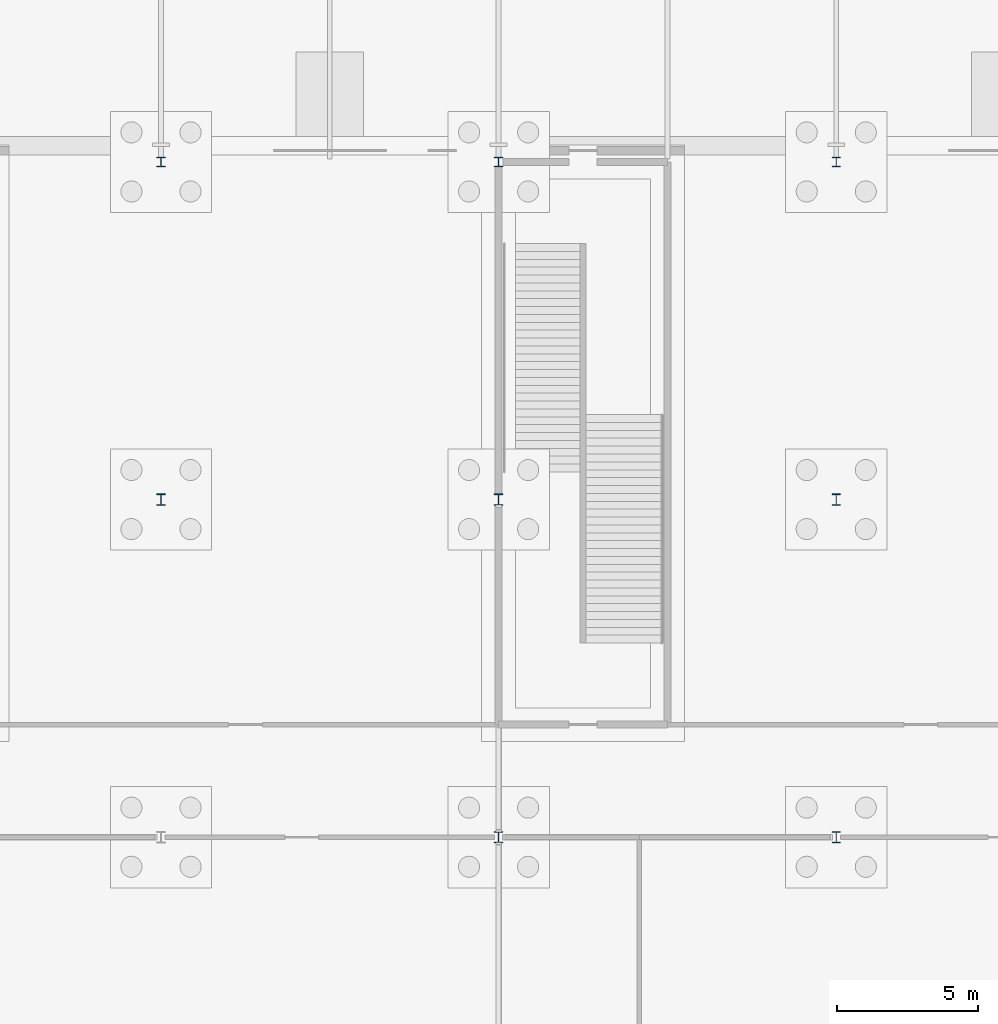
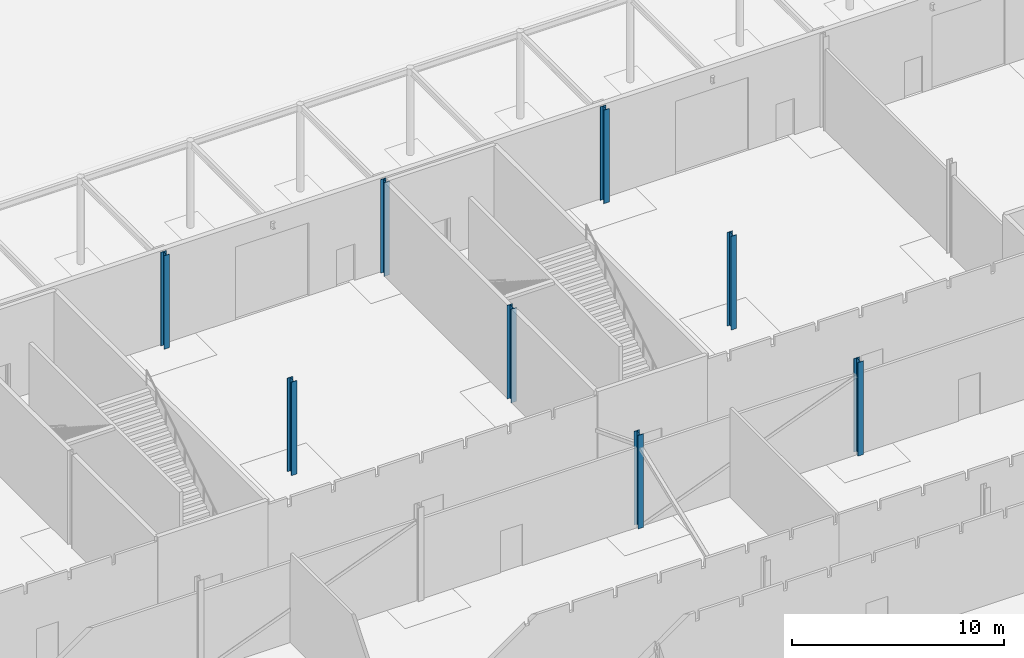
# One storey, part 16 of 132: 8 columns.
"""IFC4 building model written with IfcOpenShell, lengths in metres."""

from ifc_helpers import new_model, si_unit, direction, frame, origin, origin_2d, place, context, subcontext, project, spatial, i_section, extrude, material, material_profile, profile_set, type_object, element, save


model = new_model("IFC4")

# Units and contexts
model_context = context("Model", 3, precision=1e-05, world=origin(), true_north=direction((0.0, 1.0)))
body_context = subcontext(model_context, "Body", "Model", "MODEL_VIEW")
ifc_project = project(units=[si_unit("LENGTHUNIT", "METRE"), si_unit("AREAUNIT", "SQUARE_METRE"), si_unit("VOLUMEUNIT", "CUBIC_METRE"), si_unit("PLANEANGLEUNIT", "RADIAN"), si_unit("MASSUNIT", "GRAM", prefix="KILO")], contexts=[model_context])

# Site, building, storey
site_placement = place(None, origin())
site = spatial("IfcSite", under=ifc_project, at=site_placement, CompositionType="ELEMENT")
building_placement = place(site_placement, origin())
building = spatial("IfcBuilding", under=site, at=building_placement, Name="Ravi Spectrum Wholesale Market", CompositionType="ELEMENT")
storey_placement = place(building_placement, origin())
storey = spatial("IfcBuildingStorey", under=building, at=storey_placement, Name="L00", CompositionType="ELEMENT", Elevation=0.0)

# Columns
ifc_material_1 = material(Name="Steel S355", Category="steel")
ifc_material_profile_1 = material_profile(ifc_material_1, i_section(OverallWidth=0.300048828125, OverallDepth=0.340087890625, WebThickness=0.011962890625, FlangeThickness=0.021484375, at=origin_2d()))
ifc_profile_set_1 = profile_set([ifc_material_profile_1], Name="Steel S355")
column_type_1 = type_object("IfcColumnType", Name="HEB 340 column", PredefinedType="COLUMN", material=ifc_profile_set_1)
for number, where, z_axis, x_axis, name in (
    (1, (234.0, 66.0, 0.0), (0.0, 0.0, 1.0), (1.0, 0.0, 0.0), "CS-COL-L00-020"),
    (2, (246.0, 66.0, 0.0), (0.0, 0.0, 1.0), (1.0, 0.0, 0.0), "CS-COL-L00-025"),
    (3, (258.0, 66.0, 0.0), (0.0, 0.0, 1.0), (1.0, 0.0, 0.0), "CS-COL-L00-030"),
):
    element("IfcColumn", number, at=place(storey_placement, frame(where, z_axis=z_axis, x_axis=x_axis)), inside=storey, type_object=column_type_1, Name=name, PredefinedType="COLUMN", context=body_context, shape_type="SweptSolid", body=[
        extrude(i_section(OverallWidth=0.300048828125, OverallDepth=0.340087890625, WebThickness=0.011962890625, FlangeThickness=0.021484375, at=origin_2d()), origin(), (0.0, 0.0, 1.0), 5.39990234375),
    ])
ifc_material_2 = material(Name="Steel S355", Category="steel")
ifc_material_profile_2 = material_profile(ifc_material_2, i_section(OverallWidth=0.300048828125, OverallDepth=0.39990234375, WebThickness=0.013427734375, FlangeThickness=0.02392578125, at=origin_2d()))
ifc_profile_set_2 = profile_set([ifc_material_profile_2], Name="Steel S355")
column_type_2 = type_object("IfcColumnType", Name="HEB 400 column", PredefinedType="COLUMN", material=ifc_profile_set_2)
for number, where, z_axis, x_axis, name in (
    (4, (234.0, 54.0, 0.0), (0.0, 0.0, 1.0), (1.0, 0.0, 0.0), "CS-COL-L00-019"),
    (5, (246.0, 42.0, 0.0), (0.0, 0.0, 1.0), (1.0, 0.0, 0.0), "CS-COL-L00-023"),
    (6, (246.0, 54.0, 0.0), (0.0, 0.0, 1.0), (1.0, 0.0, 0.0), "CS-COL-L00-024"),
    (7, (258.0, 42.0, 0.0), (0.0, 0.0, 1.0), (1.0, 0.0, 0.0), "CS-COL-L00-028"),
    (8, (258.0, 54.0, 0.0), (0.0, 0.0, 1.0), (1.0, 0.0, 0.0), "CS-COL-L00-029"),
):
    element("IfcColumn", number, at=place(storey_placement, frame(where, z_axis=z_axis, x_axis=x_axis)), inside=storey, type_object=column_type_2, Name=name, PredefinedType="COLUMN", context=body_context, shape_type="SweptSolid", body=[
        extrude(i_section(OverallWidth=0.300048828125, OverallDepth=0.39990234375, WebThickness=0.013427734375, FlangeThickness=0.02392578125, at=origin_2d()), origin(), (0.0, 0.0, 1.0), 5.39990234375),
    ])

save(model, "model.ifc")
